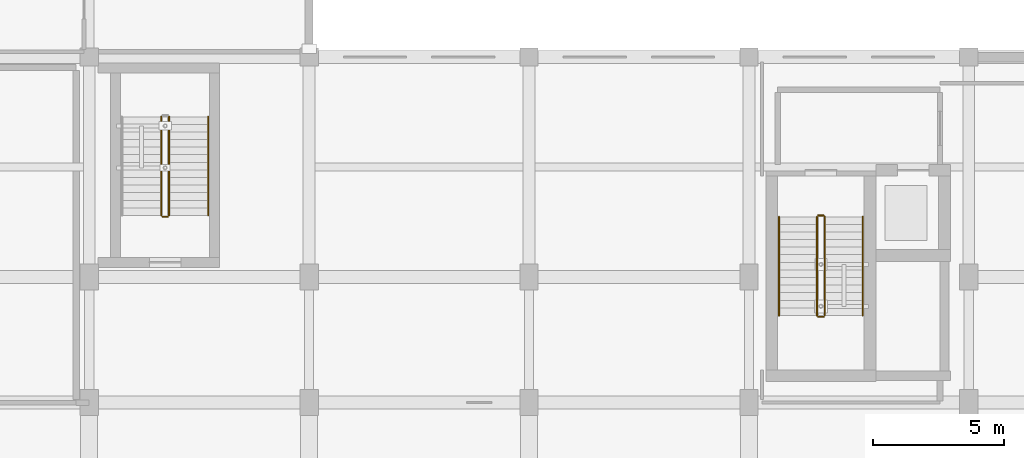
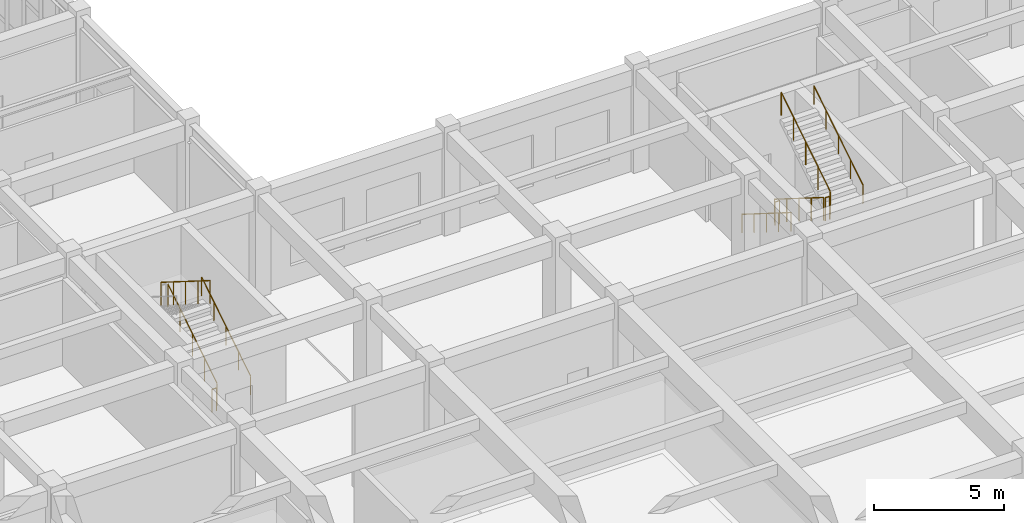
# One storey, part 74 of 80: 10 railings.
"""IFC4 building model written with IfcOpenShell, lengths in metres."""

from ifc_helpers import new_model, si_unit, direction, frame, origin, origin_2d, place, context, subcontext, project, spatial, circle, extrude, material, type_object, element, save


model = new_model("IFC4")

# Units and contexts
model_context = context("Model", 3, precision=1e-05, world=origin(), true_north=direction((0.0, 1.0)))
body_context = subcontext(model_context, "Body", "Model", "MODEL_VIEW")
ifc_project = project(units=[si_unit("LENGTHUNIT", "METRE"), si_unit("AREAUNIT", "SQUARE_METRE"), si_unit("VOLUMEUNIT", "CUBIC_METRE"), si_unit("PLANEANGLEUNIT", "RADIAN"), si_unit("MASSUNIT", "GRAM", prefix="KILO")], contexts=[model_context])

# Site, building, storey
site_placement = place(None, origin())
site = spatial("IfcSite", under=ifc_project, at=site_placement, CompositionType="ELEMENT")
building_placement = place(site_placement, origin())
building = spatial("IfcBuilding", under=site, at=building_placement, Name="Krzemoval Escarpment Law Courts", CompositionType="ELEMENT")
storey_placement = place(building_placement, origin())
storey = spatial("IfcBuildingStorey", under=building, at=storey_placement, Name="L00", CompositionType="ELEMENT", Elevation=0.0)

# Railings
ifc_material_1 = material(Name="Galvanised Steel S355", Category="steel")
railing_type_1 = type_object("IfcRailingType", Name="RL-GRD-1100", PredefinedType="GUARDRAIL", material=ifc_material_1)
railing_1_placement = place(storey_placement, frame((61.39990234375, 29.300048828125, 0.18212890625)))
element("IfcRailing", 1, at=railing_1_placement, inside=storey, type_object=railing_type_1, Name="L00 ST4 stair guard 1", PredefinedType="GUARDRAIL", context=body_context, shape_type="SweptSolid", body=[
    extrude(circle(Radius=0.02392578125, at=origin_2d()), frame((0.0, 0.0, 1.076171875), z_axis=(0.0, -0.846819337722, 0.53188063441), x_axis=(1.0, 0.0, 0.0)), (0.0, 0.0, 1.0), 4.451904296875),
    extrude(circle(Radius=0.02099609375, at=origin_2d()), origin(), (0.0, 0.0, 1.0), 1.052001953125),
    extrude(circle(Radius=0.02099609375, at=origin_2d()), frame((0.0, -0.9423828125, 0.592041015625)), (0.0, 0.0, 1.0), 1.052001953125),
    extrude(circle(Radius=0.02099609375, at=origin_2d()), frame((0.0, -1.885009765625, 1.18408203125)), (0.0, 0.0, 1.0), 1.052001953125),
    extrude(circle(Radius=0.02099609375, at=origin_2d()), frame((0.0, -2.82763671875, 1.77587890625)), (0.0, 0.0, 1.0), 1.052001953125),
    extrude(circle(Radius=0.02099609375, at=origin_2d()), frame((0.0, -3.77001953125, 2.367919921875)), (0.0, 0.0, 1.0), 1.052001953125),
])
railing_2_placement = place(storey_placement, frame((61.449951171875, 25.47998046875, 2.550048828125)))
element("IfcRailing", 2, at=railing_2_placement, inside=storey, type_object=railing_type_1, Name="L00 ST4 stair guard 2", PredefinedType="GUARDRAIL", context=body_context, shape_type="SweptSolid", body=[
    extrude(circle(Radius=0.02392578125, at=origin_2d()), frame((0.0, 0.0, 1.076171875), z_axis=(1.0, 0.0, 0.0), x_axis=(0.0, 1.0, 0.0)), (0.0, 0.0, 1.0), 0.199951171875),
    extrude(circle(Radius=0.02099609375, at=origin_2d()), origin(), (0.0, 0.0, 1.0), 1.052001953125),
    extrude(circle(Radius=0.02099609375, at=origin_2d()), frame((0.199951171875, 0.0, 0.0)), (0.0, 0.0, 1.0), 1.052001953125),
])
railing_3_placement = place(storey_placement, frame((61.699951171875, 25.530029296875, 2.732177734375)))
element("IfcRailing", 3, at=railing_3_placement, inside=storey, type_object=railing_type_1, Name="L00 ST4 stair guard 3", PredefinedType="GUARDRAIL", context=body_context, shape_type="SweptSolid", body=[
    extrude(circle(Radius=0.02392578125, at=origin_2d()), frame((0.0, 0.0, 1.076171875), z_axis=(0.0, 0.846819337722, 0.53188063441), x_axis=(-1.0, 0.0, 0.0)), (0.0, 0.0, 1.0), 4.451904296875),
    extrude(circle(Radius=0.02099609375, at=origin_2d()), origin(), (0.0, 0.0, 1.0), 1.052001953125),
    extrude(circle(Radius=0.02099609375, at=origin_2d()), frame((0.0, 0.9423828125, 0.592041015625)), (0.0, 0.0, 1.0), 1.052001953125),
    extrude(circle(Radius=0.02099609375, at=origin_2d()), frame((0.0, 1.885009765625, 1.18408203125)), (0.0, 0.0, 1.0), 1.052001953125),
    extrude(circle(Radius=0.02099609375, at=origin_2d()), frame((0.0, 2.82763671875, 1.77587890625)), (0.0, 0.0, 1.0), 1.052001953125),
    extrude(circle(Radius=0.02099609375, at=origin_2d()), frame((0.0, 3.77001953125, 2.367919921875)), (0.0, 0.0, 1.0), 1.052001953125),
])
railing_4_placement = place(storey_placement, frame((61.449951171875, 29.35009765625, 0.0)))
element("IfcRailing", 4, at=railing_4_placement, inside=storey, type_object=railing_type_1, Name="L00 ST4 stair guard 4", PredefinedType="GUARDRAIL", context=body_context, shape_type="SweptSolid", body=[
    extrude(circle(Radius=0.02392578125, at=origin_2d()), frame((0.0, 0.0, 1.076171875), z_axis=(1.0, 0.0, 0.0), x_axis=(0.0, 1.0, 0.0)), (0.0, 0.0, 1.0), 0.199951171875),
    extrude(circle(Radius=0.02099609375, at=origin_2d()), origin(), (0.0, 0.0, 1.0), 1.052001953125),
    extrude(circle(Radius=0.02099609375, at=origin_2d()), frame((0.199951171875, 0.0, 0.0)), (0.0, 0.0, 1.0), 1.052001953125),
])
railing_5_placement = place(storey_placement, frame((36.64990234375, 29.35009765625, 0.18212890625)))
element("IfcRailing", 5, at=railing_5_placement, inside=storey, type_object=railing_type_1, Name="L00 ST9 stair guard 1", PredefinedType="GUARDRAIL", context=body_context, shape_type="SweptSolid", body=[
    extrude(circle(Radius=0.02392578125, at=origin_2d()), frame((0.0, 0.0, 1.076171875), z_axis=(0.0, 0.846819337722, 0.53188063441), x_axis=(-1.0, 0.0, 0.0)), (0.0, 0.0, 1.0), 4.451904296875),
    extrude(circle(Radius=0.02099609375, at=origin_2d()), origin(), (0.0, 0.0, 1.0), 1.052001953125),
    extrude(circle(Radius=0.02099609375, at=origin_2d()), frame((0.0, 0.9423828125, 0.592041015625)), (0.0, 0.0, 1.0), 1.052001953125),
    extrude(circle(Radius=0.02099609375, at=origin_2d()), frame((0.0, 1.885009765625, 1.18408203125)), (0.0, 0.0, 1.0), 1.052001953125),
    extrude(circle(Radius=0.02099609375, at=origin_2d()), frame((0.0, 2.82763671875, 1.77587890625)), (0.0, 0.0, 1.0), 1.052001953125),
    extrude(circle(Radius=0.02099609375, at=origin_2d()), frame((0.0, 3.77001953125, 2.367919921875)), (0.0, 0.0, 1.0), 1.052001953125),
])
railing_6_placement = place(storey_placement, frame((36.35009765625, 33.1201171875, 2.732177734375)))
element("IfcRailing", 6, at=railing_6_placement, inside=storey, type_object=railing_type_1, Name="L00 ST9 stair guard 3", PredefinedType="GUARDRAIL", context=body_context, shape_type="SweptSolid", body=[
    extrude(circle(Radius=0.02392578125, at=origin_2d()), frame((0.0, 0.0, 1.076171875), z_axis=(0.0, -0.846819337722, 0.53188063441), x_axis=(1.0, 0.0, 0.0)), (0.0, 0.0, 1.0), 4.451904296875),
    extrude(circle(Radius=0.02099609375, at=origin_2d()), origin(), (0.0, 0.0, 1.0), 1.052001953125),
    extrude(circle(Radius=0.02099609375, at=origin_2d()), frame((0.0, -0.9423828125, 0.592041015625)), (0.0, 0.0, 1.0), 1.052001953125),
    extrude(circle(Radius=0.02099609375, at=origin_2d()), frame((0.0, -1.885009765625, 1.18408203125)), (0.0, 0.0, 1.0), 1.052001953125),
    extrude(circle(Radius=0.02099609375, at=origin_2d()), frame((0.0, -2.82763671875, 1.77587890625)), (0.0, 0.0, 1.0), 1.052001953125),
    extrude(circle(Radius=0.02099609375, at=origin_2d()), frame((0.0, -3.77001953125, 2.367919921875)), (0.0, 0.0, 1.0), 1.052001953125),
])
railing_7_placement = place(storey_placement, frame((36.60009765625, 29.300048828125, 0.0)))
element("IfcRailing", 7, at=railing_7_placement, inside=storey, type_object=railing_type_1, Name="L00 ST9 stair guard 4", PredefinedType="GUARDRAIL", context=body_context, shape_type="SweptSolid", body=[
    extrude(circle(Radius=0.02392578125, at=origin_2d()), frame((0.0, 0.0, 1.076171875), z_axis=(-1.0, 0.0, 0.0), x_axis=(0.0, -1.0, 0.0)), (0.0, 0.0, 1.0), 0.2001953125),
    extrude(circle(Radius=0.02099609375, at=origin_2d()), origin(), (0.0, 0.0, 1.0), 1.052001953125),
    extrude(circle(Radius=0.02099609375, at=origin_2d()), frame((-0.2001953125, 0.0, 0.0)), (0.0, 0.0, 1.0), 1.052001953125),
])
ifc_material_2 = material(Name="Brushed Stainless Steel Grade 304 Handrail", Category="steel")
railing_type_2 = type_object("IfcRailingType", Name="RL-HND-900", PredefinedType="HANDRAIL", material=ifc_material_2)
railing_8_placement = place(storey_placement, frame((59.949951171875, 29.300048828125, 0.18212890625)))
element("IfcRailing", 8, at=railing_8_placement, inside=storey, type_object=railing_type_2, Name="L00 ST4 stair handrail 1", PredefinedType="HANDRAIL", context=body_context, shape_type="SweptSolid", body=[
    extrude(circle(Radius=0.02392578125, at=origin_2d()), frame((0.0, 0.0, 0.8759765625), z_axis=(0.0, -0.846819337722, 0.53188063441), x_axis=(1.0, 0.0, 0.0)), (0.0, 0.0, 1.0), 4.451904296875),
    extrude(circle(Radius=0.02099609375, at=origin_2d()), origin(), (0.0, 0.0, 1.0), 0.851806640625),
    extrude(circle(Radius=0.02099609375, at=origin_2d()), frame((0.0, -0.9423828125, 0.592041015625)), (0.0, 0.0, 1.0), 0.851806640625),
    extrude(circle(Radius=0.02099609375, at=origin_2d()), frame((0.0, -1.885009765625, 1.18408203125)), (0.0, 0.0, 1.0), 0.851806640625),
    extrude(circle(Radius=0.02099609375, at=origin_2d()), frame((0.0, -2.82763671875, 1.77587890625)), (0.0, 0.0, 1.0), 0.851806640625),
    extrude(circle(Radius=0.02099609375, at=origin_2d()), frame((0.0, -3.77001953125, 2.367919921875)), (0.0, 0.0, 1.0), 0.851806640625),
])
for number, where, name in (
    (9, (63.14990234375, 25.530029296875, 2.732177734375), "L00 ST4 stair handrail 2"),
    (10, (38.14990234375, 29.35009765625, 0.18212890625), "L00 ST9 stair handrail 1"),
):
    element("IfcRailing", number, at=place(storey_placement, frame(where)), inside=storey, type_object=railing_type_2, Name=name, PredefinedType="HANDRAIL", context=body_context, shape_type="SweptSolid", body=[
        extrude(circle(Radius=0.02392578125, at=origin_2d()), frame((0.0, 0.0, 0.8759765625), z_axis=(0.0, 0.846819337722, 0.53188063441), x_axis=(-1.0, 0.0, 0.0)), (0.0, 0.0, 1.0), 4.451904296875),
        extrude(circle(Radius=0.02099609375, at=origin_2d()), origin(), (0.0, 0.0, 1.0), 0.851806640625),
        extrude(circle(Radius=0.02099609375, at=origin_2d()), frame((0.0, 0.9423828125, 0.592041015625)), (0.0, 0.0, 1.0), 0.851806640625),
        extrude(circle(Radius=0.02099609375, at=origin_2d()), frame((0.0, 1.885009765625, 1.18408203125)), (0.0, 0.0, 1.0), 0.851806640625),
        extrude(circle(Radius=0.02099609375, at=origin_2d()), frame((0.0, 2.82763671875, 1.77587890625)), (0.0, 0.0, 1.0), 0.851806640625),
        extrude(circle(Radius=0.02099609375, at=origin_2d()), frame((0.0, 3.77001953125, 2.367919921875)), (0.0, 0.0, 1.0), 0.851806640625),
    ])

save(model, "model.ifc")
